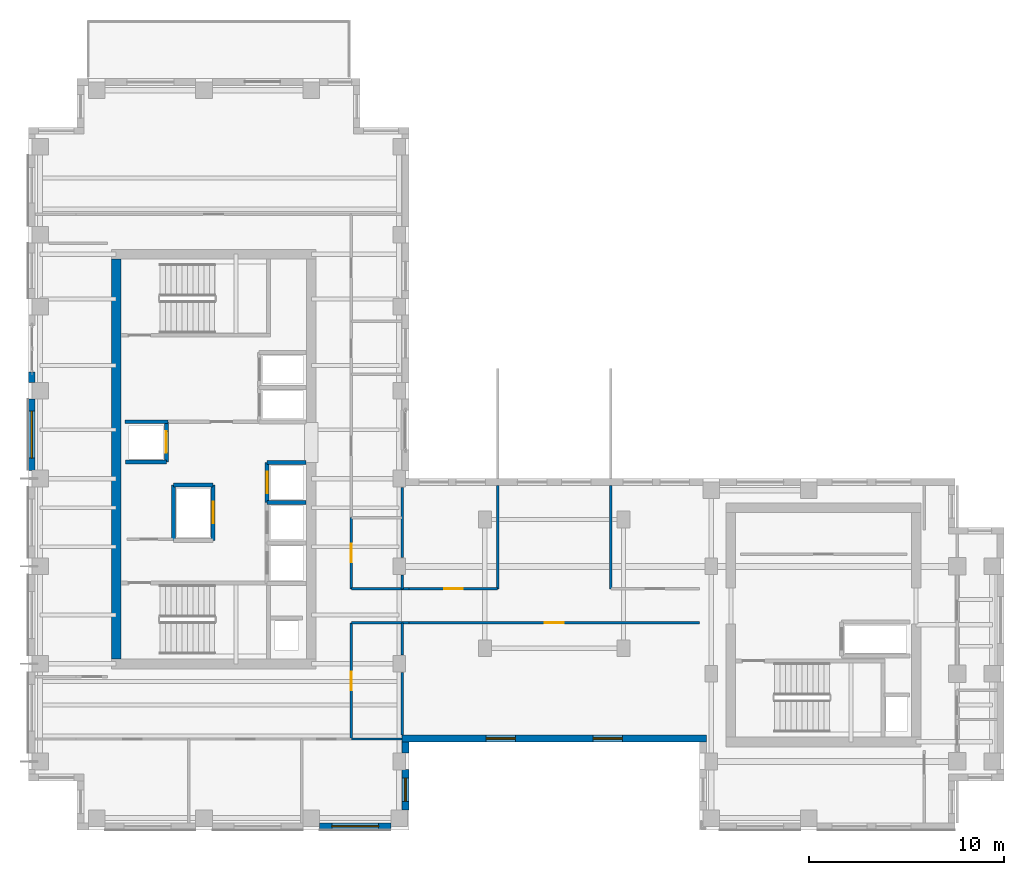
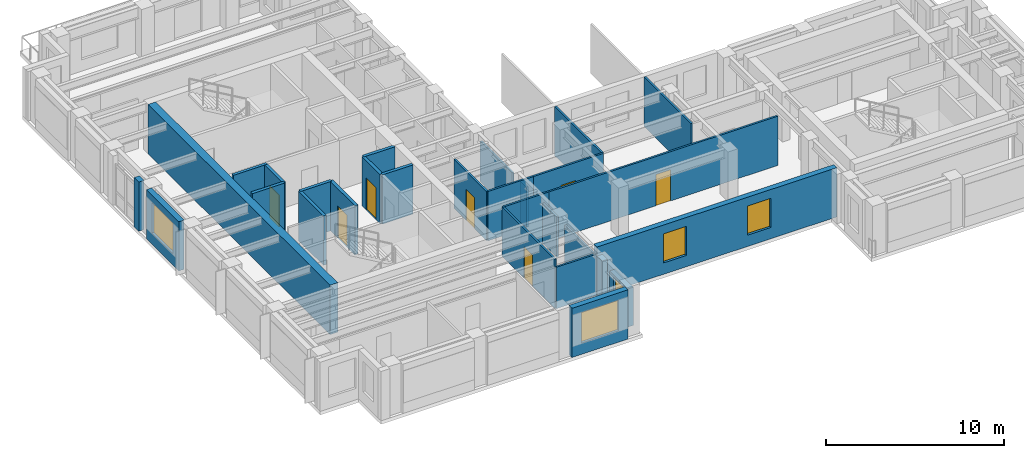
# One storey, part 7 of 14: 29 walls, 7 doors, 5 windows, 12 openings.
"""IFC4 building model written with IfcOpenShell, lengths in metres."""

from ifc_helpers import new_model, si_unit, direction, frame, frame_2d, origin, place, context, subcontext, project, spatial, rectangle, extrude, source, transform, mapped, material, layer, layer_set, type_object, element, fill, save


model = new_model("IFC4")

# Units and contexts
model_context = context("Model", 3, precision=1e-05, world=origin(), true_north=direction((0.0, 1.0)))
body_context = subcontext(model_context, "Body", "Model", "MODEL_VIEW")
ifc_project = project(units=[si_unit("LENGTHUNIT", "METRE"), si_unit("AREAUNIT", "SQUARE_METRE"), si_unit("VOLUMEUNIT", "CUBIC_METRE"), si_unit("PLANEANGLEUNIT", "RADIAN"), si_unit("MASSUNIT", "GRAM", prefix="KILO")], contexts=[model_context])

# Site, building, storey
site_placement = place(None, origin())
site = spatial("IfcSite", under=ifc_project, at=site_placement, CompositionType="ELEMENT")
building_placement = place(site_placement, origin())
building = spatial("IfcBuilding", under=site, at=building_placement, Name="Kharzan Plaza Tower", CompositionType="ELEMENT")
storey_placement = place(building_placement, frame((0.0, 0.0, 212.39990234375)))
storey = spatial("IfcBuildingStorey", under=building, at=storey_placement, Name="L57", CompositionType="ELEMENT", Elevation=212.39990234375)

# Wall, opening, window
ifc_material_1 = material(Name="Concrete C40/50", Category="concrete")
ifc_layer_1 = layer(ifc_material_1, 0.35009765625)
ifc_layer_set_1 = layer_set([ifc_layer_1], Name="Concrete C40/50")
wall_type_1 = type_object("IfcWallType", Name="WL-EXT-MAS-Z4", PredefinedType="SOLIDWALL", material=ifc_layer_set_1)
wall_1_placement = place(storey_placement, frame((0.175048828125, 22.076904296875, 0.0), z_axis=(0.0, 0.0, 1.0), x_axis=(0.0, -1.0, 0.0)))
wall_1 = element("IfcWall", 1, at=wall_1_placement, inside=storey, type_object=wall_type_1, Name="L57 Masonry-Frame Exterior Wall 14", PredefinedType="SOLIDWALL", context=body_context, shape_type="SweptSolid", body=[
    extrude(rectangle(XDim=3.65380859375, YDim=0.35009765625, at=frame_2d((1.826904296875, 0.0))), origin(), (0.0, 0.0, 1.0), 3.385009765625),
])
opening_1_placement = place(wall_1_placement, frame((0.626953125, 0.0, 0.780029296875)))
opening_1 = element("IfcOpeningElement", 2, at=opening_1_placement, cuts=wall_1, Name="Opening W2", PredefinedType="OPENING", context=body_context, shape_type="SweptSolid", body=[
    extrude(rectangle(XDim=2.39990234375, YDim=2.10009765625, at=frame_2d((1.199951171875, 1.050048828125))), frame((0.0, 0.18505859375, 0.0), z_axis=(0.0, -1.0, 0.0), x_axis=(1.0, 0.0, 0.0)), (0.0, 0.0, 1.0), 0.3701171875),
])
ifc_material_2 = material(Name="Low-E Double Glazing", Category="glass")
window_type_1 = type_object("IfcWindowType", Name="WN-REC-2400x2100", PartitioningType="SINGLE_PANEL", PredefinedType="WINDOW", material=ifc_material_2)
shared_shape_1 = source(origin(), body_context, "Body", "SweptSolid", [
    extrude(rectangle(XDim=2.39990234375, YDim=2.10009765625, at=frame_2d((1.199951171875, 1.050048828125))), frame((0.0, 0.030029296875, 0.0), z_axis=(0.0, -1.0, 0.0), x_axis=(1.0, 0.0, 0.0)), (0.0, 0.0, 1.0), 0.06005859375),
])
window_1_placement = place(opening_1_placement, origin())
window_1 = element("IfcWindow", 3, at=window_1_placement, inside=storey, type_object=window_type_1, Name="L57 Wide Recessed Solar-Control Window 14-1", OverallHeight=2.10009765625, OverallWidth=2.39990234375, PartitioningType="SINGLE_PANEL", PredefinedType="WINDOW", context=body_context, shape_type="MappedRepresentation", body=[
    mapped(shared_shape_1, transform((0.0, 0.0, 0.0), x_axis=(1.0, 0.0, 0.0), y_axis=(0.0, 1.0, 0.0), z_axis=(0.0, 0.0, 1.0))),
])
fill(opening_1, window_1)

wall_2_placement = place(storey_placement, frame((14.923095703125, 0.175048828125, 0.0), z_axis=(0.0, 0.0, 1.0), x_axis=(1.0, 0.0, 0.0)))
wall_2 = element("IfcWall", 4, at=wall_2_placement, inside=storey, type_object=wall_type_1, Name="L57 Masonry-Frame Exterior Wall 24", PredefinedType="SOLIDWALL", context=body_context, shape_type="SweptSolid", body=[
    extrude(rectangle(XDim=3.65380859375, YDim=0.35009765625, at=frame_2d((1.826904296875, 0.0))), origin(), (0.0, 0.0, 1.0), 3.385009765625),
])
opening_2_placement = place(wall_2_placement, frame((0.626953125, 0.0, 0.780029296875)))
opening_2 = element("IfcOpeningElement", 5, at=opening_2_placement, cuts=wall_2, Name="Opening W2", PredefinedType="OPENING", context=body_context, shape_type="SweptSolid", body=[
    extrude(rectangle(XDim=2.39990234375, YDim=2.10009765625, at=frame_2d((1.199951171875, 1.050048828125))), frame((0.0, 0.18505859375, 0.0), z_axis=(0.0, -1.0, 0.0), x_axis=(1.0, 0.0, 0.0)), (0.0, 0.0, 1.0), 0.3701171875),
])
window_2_placement = place(opening_2_placement, origin())
window_2 = element("IfcWindow", 6, at=window_2_placement, inside=storey, type_object=window_type_1, Name="L57 Wide Recessed Solar-Control Window 24-1", OverallHeight=2.10009765625, OverallWidth=2.39990234375, PartitioningType="SINGLE_PANEL", PredefinedType="WINDOW", context=body_context, shape_type="MappedRepresentation", body=[
    mapped(shared_shape_1, transform((0.0, 0.0, 0.0), x_axis=(1.0, 0.0, 0.0), y_axis=(0.0, 1.0, 0.0), z_axis=(0.0, 0.0, 1.0))),
])
fill(opening_2, window_2)

wall_3_placement = place(storey_placement, frame((19.324951171875, 1.02294921875, 0.0), z_axis=(0.0, 0.0, 1.0), x_axis=(0.0, 1.0, 0.0)))
wall_3 = element("IfcWall", 7, at=wall_3_placement, inside=storey, type_object=wall_type_1, Name="L57 Masonry-Frame Exterior Wall 25", PredefinedType="SOLIDWALL", context=body_context, shape_type="SweptSolid", body=[
    extrude(rectangle(XDim=2.053955078125, YDim=0.35009765625, at=frame_2d((1.02685546875, 0.0))), origin(), (0.0, 0.0, 1.0), 2.619140625),
])
opening_3_placement = place(wall_3_placement, frame((0.427001953125, 0.0, 0.780029296875)))
opening_3 = element("IfcOpeningElement", 8, at=opening_3_placement, cuts=wall_3, Name="Opening W3", PredefinedType="OPENING", context=body_context, shape_type="SweptSolid", body=[
    extrude(rectangle(XDim=1.199951171875, YDim=1.658935546875, at=frame_2d((0.60009765625, 0.82958984375))), frame((0.0, 0.18505859375, 0.0), z_axis=(0.0, -1.0, 0.0), x_axis=(1.0, 0.0, 0.0)), (0.0, 0.0, 1.0), 0.3701171875),
])
window_type_2 = type_object("IfcWindowType", Name="WN-REC-1200x2100", PartitioningType="SINGLE_PANEL", PredefinedType="WINDOW", material=ifc_material_2)
shared_shape_2 = source(origin(), body_context, "Body", "SweptSolid", [
    extrude(rectangle(XDim=1.199951171875, YDim=1.658935546875, at=frame_2d((0.60009765625, 0.82958984375))), frame((0.0, 0.030029296875, 0.0), z_axis=(0.0, -1.0, 0.0), x_axis=(1.0, 0.0, 0.0)), (0.0, 0.0, 1.0), 0.06005859375),
])
window_3_placement = place(opening_3_placement, origin())
window_3 = element("IfcWindow", 9, at=window_3_placement, inside=storey, type_object=window_type_2, Name="L57 Recessed Solar-Control Window 25-1", OverallHeight=1.658935546875, OverallWidth=1.199951171875, PartitioningType="SINGLE_PANEL", PredefinedType="WINDOW", context=body_context, shape_type="MappedRepresentation", body=[
    mapped(shared_shape_2, transform((0.0, 0.0, 0.0), x_axis=(1.0, 0.0, 0.0), y_axis=(0.0, 1.0, 0.0), z_axis=(0.0, 0.0, 1.0))),
])
fill(opening_3, window_3)

# Wall, openings, windows
wall_4_placement = place(storey_placement, frame((19.14990234375, 4.675048828125, 0.0), z_axis=(0.0, 0.0, 1.0), x_axis=(1.0, 0.0, 0.0)))
wall_4 = element("IfcWall", 10, at=wall_4_placement, inside=storey, type_object=wall_type_1, Name="L57 Masonry-Frame Exterior Wall 27", PredefinedType="SOLIDWALL", context=body_context, shape_type="SweptSolid", body=[
    extrude(rectangle(XDim=15.60009765625, YDim=0.35009765625, at=frame_2d((7.800048828125, 0.0))), origin(), (0.0, 0.0, 1.0), 3.385009765625),
])
opening_4_placement = place(wall_4_placement, frame((4.306640625, 0.0, 0.780029296875)))
opening_4 = element("IfcOpeningElement", 11, at=opening_4_placement, cuts=wall_4, Name="Opening W5", PredefinedType="OPENING", context=body_context, shape_type="SweptSolid", body=[
    extrude(rectangle(XDim=1.5, YDim=2.0, at=frame_2d((0.75, 1.0))), frame((0.0, 0.18505859375, 0.0), z_axis=(0.0, -1.0, 0.0), x_axis=(1.0, 0.0, 0.0)), (0.0, 0.0, 1.0), 0.3701171875),
])
opening_5_placement = place(wall_4_placement, frame((9.793212890625, 0.0, 0.780029296875)))
opening_5 = element("IfcOpeningElement", 12, at=opening_5_placement, cuts=wall_4, Name="Opening W5", PredefinedType="OPENING", context=body_context, shape_type="SweptSolid", body=[
    extrude(rectangle(XDim=1.5, YDim=2.0, at=frame_2d((0.75, 1.0))), frame((0.0, 0.18505859375, 0.0), z_axis=(0.0, -1.0, 0.0), x_axis=(1.0, 0.0, 0.0)), (0.0, 0.0, 1.0), 0.3701171875),
])
window_type_3 = type_object("IfcWindowType", Name="WN-SLT-1500x2000", PartitioningType="SINGLE_PANEL", PredefinedType="WINDOW", material=ifc_material_2)
shared_shape_3 = source(origin(), body_context, "Body", "SweptSolid", [
    extrude(rectangle(XDim=1.5, YDim=2.0, at=frame_2d((0.75, 1.0))), frame((0.0, 0.030029296875, 0.0), z_axis=(0.0, -1.0, 0.0), x_axis=(1.0, 0.0, 0.0)), (0.0, 0.0, 1.0), 0.06005859375),
])
window_4_placement = place(opening_4_placement, origin())
window_4 = element("IfcWindow", 13, at=window_4_placement, inside=storey, type_object=window_type_3, Name="L57 Recessed Solar-Control Window 27-1", OverallHeight=2.0, OverallWidth=1.5, PartitioningType="SINGLE_PANEL", PredefinedType="WINDOW", context=body_context, shape_type="MappedRepresentation", body=[
    mapped(shared_shape_3, transform((0.0, 0.0, 0.0), x_axis=(1.0, 0.0, 0.0), y_axis=(0.0, 1.0, 0.0), z_axis=(0.0, 0.0, 1.0))),
])
fill(opening_4, window_4)
window_5_placement = place(opening_5_placement, origin())
window_5 = element("IfcWindow", 14, at=window_5_placement, inside=storey, type_object=window_type_3, Name="L57 Recessed Solar-Control Window 27-2", OverallHeight=2.0, OverallWidth=1.5, PartitioningType="SINGLE_PANEL", PredefinedType="WINDOW", context=body_context, shape_type="MappedRepresentation", body=[
    mapped(shared_shape_3, transform((0.0, 0.0, 0.0), x_axis=(1.0, 0.0, 0.0), y_axis=(0.0, 1.0, 0.0), z_axis=(0.0, 0.0, 1.0))),
])
fill(opening_5, window_5)

# Wall, opening, door
ifc_material_3 = material(Name="Fire-Rated Gypsum Board Partition", Category="gypsum")
ifc_layer_2 = layer(ifc_material_3, 0.125)
ifc_layer_set_2 = layer_set([ifc_layer_2], Name="Fire-Rated Gypsum Board Partition")
wall_type_2 = type_object("IfcWallType", Name="WL-INT-PART-125", PredefinedType="PARTITIONING", material=ifc_layer_set_2)
wall_5_placement = place(storey_placement, frame((16.550048828125, 12.35009765625, 0.0), z_axis=(0.0, 0.0, 1.0), x_axis=(0.0, 1.0, 0.0)))
wall_5 = element("IfcWall", 15, at=wall_5_placement, inside=storey, type_object=wall_type_2, Name="L57 Interior Partition SH-AEWN1", PredefinedType="PARTITIONING", context=body_context, shape_type="SweptSolid", body=[
    extrude(rectangle(XDim=3.64990234375, YDim=0.125, at=frame_2d((1.824951171875, 0.0))), origin(), (0.0, 0.0, 1.0), 3.385009765625),
])
opening_6_placement = place(wall_5_placement, frame((1.35009765625, 0.0, 0.0)))
opening_6 = element("IfcOpeningElement", 16, at=opening_6_placement, cuts=wall_5, Name="Opening OD1", PredefinedType="OPENING", context=body_context, shape_type="SweptSolid", body=[
    extrude(rectangle(XDim=0.949951171875, YDim=2.14990234375, at=frame_2d((0.47509765625, 1.074951171875))), frame((0.0, 0.072509765625, 0.0), z_axis=(0.0, -1.0, 0.0), x_axis=(1.0, 0.0, 0.0)), (0.0, 0.0, 1.0), 0.14501953125),
])
ifc_material_4 = material(Name="Acoustic Solid-Core Stained Oak", Category="timber")
door_type_1 = type_object("IfcDoorType", Name="DR-OFF-SINGLE", OperationType="NOTDEFINED", PredefinedType="DOOR", material=ifc_material_4)
shared_shape_4 = source(origin(), body_context, "Body", "SweptSolid", [
    extrude(rectangle(XDim=0.949951171875, YDim=2.14990234375, at=frame_2d((0.47509765625, 1.074951171875))), frame((0.0, 0.02490234375, 0.0), z_axis=(0.0, -1.0, 0.0), x_axis=(1.0, 0.0, 0.0)), (0.0, 0.0, 1.0), 0.050048828125),
])
door_1_placement = place(opening_6_placement, origin())
door_1 = element("IfcDoor", 17, at=door_1_placement, inside=storey, type_object=door_type_1, Name="L57 Slot Collaboration Door", OperationType="SINGLE_SWING_LEFT", OverallHeight=2.14990234375, OverallWidth=0.949951171875, PredefinedType="DOOR", context=body_context, shape_type="MappedRepresentation", body=[
    mapped(shared_shape_4, transform((0.0, 0.0, 0.0), x_axis=(1.0, 0.0, 0.0), y_axis=(0.0, 1.0, 0.0), z_axis=(0.0, 0.0, 1.0))),
])
fill(opening_6, door_1)

wall_6_placement = place(storey_placement, frame((16.550048828125, 4.64990234375, 0.0), z_axis=(0.0, 0.0, 1.0), x_axis=(0.0, 1.0, 0.0)))
wall_6 = element("IfcWall", 18, at=wall_6_placement, inside=storey, type_object=wall_type_2, Name="L57 Interior Partition SH-AEWS", PredefinedType="PARTITIONING", context=body_context, shape_type="SweptSolid", body=[
    extrude(rectangle(XDim=5.9501953125, YDim=0.125, at=frame_2d((2.97509765625, 0.0))), origin(), (0.0, 0.0, 1.0), 3.385009765625),
])
opening_7_placement = place(wall_6_placement, frame((2.5, 0.0, 0.0)))
opening_7 = element("IfcOpeningElement", 19, at=opening_7_placement, cuts=wall_6, Name="Opening OD1", PredefinedType="OPENING", context=body_context, shape_type="SweptSolid", body=[
    extrude(rectangle(XDim=0.949951171875, YDim=2.14990234375, at=frame_2d((0.47509765625, 1.074951171875))), frame((0.0, 0.072509765625, 0.0), z_axis=(0.0, -1.0, 0.0), x_axis=(1.0, 0.0, 0.0)), (0.0, 0.0, 1.0), 0.14501953125),
])
door_2_placement = place(opening_7_placement, origin())
door_2 = element("IfcDoor", 20, at=door_2_placement, inside=storey, type_object=door_type_1, Name="L57 Slot South Office Door", OperationType="SINGLE_SWING_RIGHT", OverallHeight=2.14990234375, OverallWidth=0.949951171875, PredefinedType="DOOR", context=body_context, shape_type="MappedRepresentation", body=[
    mapped(shared_shape_4, transform((0.0, 0.0, 0.0), x_axis=(1.0, 0.0, 0.0), y_axis=(0.0, 1.0, 0.0), z_axis=(0.0, 0.0, 1.0))),
])
fill(opening_7, door_2)

wall_7_placement = place(storey_placement, frame((19.5, 12.35009765625, 0.0), z_axis=(0.0, 0.0, 1.0), x_axis=(1.0, 0.0, 0.0)))
wall_7 = element("IfcWall", 21, at=wall_7_placement, inside=storey, type_object=wall_type_2, Name="L57 Interior Partition SH-SPNW1", PredefinedType="PARTITIONING", context=body_context, shape_type="SweptSolid", body=[
    extrude(rectangle(XDim=4.550048828125, YDim=0.125, at=frame_2d((2.27490234375, 0.0))), origin(), (0.0, 0.0, 1.0), 3.385009765625),
])
opening_8_placement = place(wall_7_placement, frame((1.800048828125, 0.0, 0.0)))
opening_8 = element("IfcOpeningElement", 22, at=opening_8_placement, cuts=wall_7, Name="Opening OD1", PredefinedType="OPENING", context=body_context, shape_type="SweptSolid", body=[
    extrude(rectangle(XDim=0.949951171875, YDim=2.14990234375, at=frame_2d((0.47509765625, 1.074951171875))), frame((0.0, 0.072509765625, 0.0), z_axis=(0.0, -1.0, 0.0), x_axis=(1.0, 0.0, 0.0)), (0.0, 0.0, 1.0), 0.14501953125),
])
door_3_placement = place(opening_8_placement, origin())
door_3 = element("IfcDoor", 23, at=door_3_placement, inside=storey, type_object=door_type_1, Name="L57 North-West Spine Door", OperationType="SINGLE_SWING_RIGHT", OverallHeight=2.14990234375, OverallWidth=0.949951171875, PredefinedType="DOOR", context=body_context, shape_type="MappedRepresentation", body=[
    mapped(shared_shape_4, transform((0.0, 0.0, 0.0), x_axis=(1.0, 0.0, 0.0), y_axis=(0.0, 1.0, 0.0), z_axis=(0.0, 0.0, 1.0))),
])
fill(opening_8, door_3)

wall_8_placement = place(storey_placement, frame((19.5, 10.60009765625, 0.0), z_axis=(0.0, 0.0, 1.0), x_axis=(1.0, 0.0, 0.0)))
wall_8 = element("IfcWall", 24, at=wall_8_placement, inside=storey, type_object=wall_type_2, Name="L57 Interior Partition SH-SPS1", PredefinedType="PARTITIONING", context=body_context, shape_type="SweptSolid", body=[
    extrude(rectangle(XDim=14.89990234375, YDim=0.125, at=frame_2d((7.449951171875, 0.0))), origin(), (0.0, 0.0, 1.0), 3.385009765625),
])
opening_9_placement = place(wall_8_placement, frame((6.97509765625, 0.0, 0.0)))
opening_9 = element("IfcOpeningElement", 25, at=opening_9_placement, cuts=wall_8, Name="Opening OD1", PredefinedType="OPENING", context=body_context, shape_type="SweptSolid", body=[
    extrude(rectangle(XDim=0.949951171875, YDim=2.14990234375, at=frame_2d((0.47509765625, 1.074951171875))), frame((0.0, 0.072509765625, 0.0), z_axis=(0.0, -1.0, 0.0), x_axis=(1.0, 0.0, 0.0)), (0.0, 0.0, 1.0), 0.14501953125),
])
door_4_placement = place(opening_9_placement, origin())
door_4 = element("IfcDoor", 26, at=door_4_placement, inside=storey, type_object=door_type_1, Name="L57 South Spine Studio Door", OperationType="SINGLE_SWING_LEFT", OverallHeight=2.14990234375, OverallWidth=0.949951171875, PredefinedType="DOOR", context=body_context, shape_type="MappedRepresentation", body=[
    mapped(shared_shape_4, transform((0.0, 0.0, 0.0), x_axis=(1.0, 0.0, 0.0), y_axis=(0.0, 1.0, 0.0), z_axis=(0.0, 0.0, 1.0))),
])
fill(opening_9, door_4)

ifc_layer_3 = layer(ifc_material_1, 0.199951171875)
ifc_layer_set_3 = layer_set([ifc_layer_3], Name="Concrete C40/50")
wall_type_3 = type_object("IfcWallType", Name="WL-INT-SHAFT-200", PredefinedType="PARTITIONING", material=ifc_layer_set_3)
wall_9_placement = place(storey_placement, frame((12.22998046875, 16.77001953125, 0.0), z_axis=(0.0, 0.0, 1.0), x_axis=(0.0, 1.0, 0.0)))
wall_9 = element("IfcWall", 27, at=wall_9_placement, inside=storey, type_object=wall_type_3, Name="L57 Interior Partition SHF-PL-H3-W", PredefinedType="PARTITIONING", context=body_context, shape_type="SweptSolid", body=[
    extrude(rectangle(XDim=2.050048828125, YDim=0.199951171875, at=frame_2d((1.02490234375, 0.0))), origin(), (0.0, 0.0, 1.0), 3.385009765625),
])
opening_10_placement = place(wall_9_placement, frame((0.47509765625, 0.0, 0.0)))
opening_10 = element("IfcOpeningElement", 28, at=opening_10_placement, cuts=wall_9, Name="Opening LD", PredefinedType="OPENING", context=body_context, shape_type="SweptSolid", body=[
    extrude(rectangle(XDim=1.10009765625, YDim=2.199951171875, at=frame_2d((0.550048828125, 1.10009765625))), frame((0.0, 0.10986328125, 0.0), z_axis=(0.0, -1.0, 0.0), x_axis=(1.0, 0.0, 0.0)), (0.0, 0.0, 1.0), 0.219970703125),
])
ifc_material_5 = material(Name="Brushed Stainless Steel", Category="steel")
door_type_2 = type_object("IfcDoorType", Name="DR-LIFT-SLIDE", OperationType="SLIDING_TO_LEFT", PredefinedType="DOOR", material=ifc_material_5)
shared_shape_5 = source(origin(), body_context, "Body", "SweptSolid", [
    extrude(rectangle(XDim=1.10009765625, YDim=2.199951171875, at=frame_2d((0.550048828125, 1.10009765625))), frame((0.0, 0.02490234375, 0.0), z_axis=(0.0, -1.0, 0.0), x_axis=(1.0, 0.0, 0.0)), (0.0, 0.0, 1.0), 0.050048828125),
])
door_5_placement = place(opening_10_placement, origin())
door_5 = element("IfcDoor", 29, at=door_5_placement, inside=storey, type_object=door_type_2, Name="L57 High-Rise Passenger Lift PL-H3 Sliding Landing Door", OperationType="SLIDING_TO_LEFT", OverallHeight=2.199951171875, OverallWidth=1.10009765625, PredefinedType="DOOR", context=body_context, shape_type="MappedRepresentation", body=[
    mapped(shared_shape_5, transform((0.0, 0.0, 0.0), x_axis=(1.0, 0.0, 0.0), y_axis=(0.0, 1.0, 0.0), z_axis=(0.0, 0.0, 1.0))),
])
fill(opening_10, door_5)

wall_10_placement = place(storey_placement, frame((7.070068359375, 18.840087890625, 0.0), z_axis=(0.0, 0.0, 1.0), x_axis=(0.0, 1.0, 0.0)))
wall_10 = element("IfcWall", 30, at=wall_10_placement, inside=storey, type_object=wall_type_3, Name="L57 Interior Partition SHF-PL-H4-E", PredefinedType="PARTITIONING", context=body_context, shape_type="SweptSolid", body=[
    extrude(rectangle(XDim=2.059814453125, YDim=0.199951171875, at=frame_2d((1.02978515625, 0.0))), origin(), (0.0, 0.0, 1.0), 3.385009765625),
])
opening_11_placement = place(wall_10_placement, frame((0.47998046875, 0.0, 0.0)))
opening_11 = element("IfcOpeningElement", 31, at=opening_11_placement, cuts=wall_10, Name="Opening LD", PredefinedType="OPENING", context=body_context, shape_type="SweptSolid", body=[
    extrude(rectangle(XDim=1.10009765625, YDim=2.199951171875, at=frame_2d((0.550048828125, 1.10009765625))), frame((0.0, 0.10986328125, 0.0), z_axis=(0.0, -1.0, 0.0), x_axis=(1.0, 0.0, 0.0)), (0.0, 0.0, 1.0), 0.219970703125),
])
door_6_placement = place(opening_11_placement, origin())
door_6 = element("IfcDoor", 32, at=door_6_placement, inside=storey, type_object=door_type_2, Name="L57 High-Rise Passenger Lift PL-H4 Sliding Landing Door", OperationType="SLIDING_TO_LEFT", OverallHeight=2.199951171875, OverallWidth=1.10009765625, PredefinedType="DOOR", context=body_context, shape_type="MappedRepresentation", body=[
    mapped(shared_shape_5, transform((0.0, 0.0, 0.0), x_axis=(1.0, 0.0, 0.0), y_axis=(0.0, 1.0, 0.0), z_axis=(0.0, 0.0, 1.0))),
])
fill(opening_11, door_6)

wall_11_placement = place(storey_placement, frame((9.469970703125, 14.830078125, 0.0), z_axis=(0.0, 0.0, 1.0), x_axis=(0.0, 1.0, 0.0)))
wall_11 = element("IfcWall", 33, at=wall_11_placement, inside=storey, type_object=wall_type_3, Name="L57 Interior Partition SHF-SVL-1-E", PredefinedType="PARTITIONING", context=body_context, shape_type="SweptSolid", body=[
    extrude(rectangle(XDim=2.83984375, YDim=0.199951171875, at=frame_2d((1.419921875, 0.0))), origin(), (0.0, 0.0, 1.0), 3.385009765625),
])
opening_12_placement = place(wall_11_placement, frame((0.8701171875, 0.0, 0.0)))
opening_12 = element("IfcOpeningElement", 34, at=opening_12_placement, cuts=wall_11, Name="Opening LD", PredefinedType="OPENING", context=body_context, shape_type="SweptSolid", body=[
    extrude(rectangle(XDim=1.10009765625, YDim=2.199951171875, at=frame_2d((0.550048828125, 1.10009765625))), frame((0.0, 0.10986328125, 0.0), z_axis=(0.0, -1.0, 0.0), x_axis=(1.0, 0.0, 0.0)), (0.0, 0.0, 1.0), 0.219970703125),
])
door_7_placement = place(opening_12_placement, origin())
door_7 = element("IfcDoor", 35, at=door_7_placement, inside=storey, type_object=door_type_2, Name="L57 Service Lift SVL-1 Sliding Landing Door", OperationType="SLIDING_TO_LEFT", OverallHeight=2.199951171875, OverallWidth=1.10009765625, PredefinedType="DOOR", context=body_context, shape_type="MappedRepresentation", body=[
    mapped(shared_shape_5, transform((0.0, 0.0, 0.0), x_axis=(1.0, 0.0, 0.0), y_axis=(0.0, 1.0, 0.0), z_axis=(0.0, 0.0, 1.0))),
])
fill(opening_12, door_7)

# Walls
ifc_layer_4 = layer(ifc_material_1, 0.179931640625)
ifc_layer_set_4 = layer_set([ifc_layer_4], Name="Concrete C40/50")
wall_type_4 = type_object("IfcWallType", Name="WL-INT-FIRE-180", PredefinedType="PARTITIONING", material=ifc_layer_set_4)
shared_shape_6 = source(origin(), body_context, "Body", "SweptSolid", [
    extrude(rectangle(XDim=2.199951171875, YDim=0.179931640625, at=frame_2d((1.10009765625, 0.0))), origin(), (0.0, 0.0, 1.0), 3.385009765625),
])
wall_12_placement = place(storey_placement, frame((4.949951171875, 20.919921875, 0.0), z_axis=(0.0, 0.0, 1.0), x_axis=(1.0, 0.0, 0.0)))
element("IfcWall", 36, at=wall_12_placement, inside=storey, type_object=wall_type_4, Name="L57 Interior Partition CA-FF-SW", PredefinedType="PARTITIONING", context=body_context, shape_type="MappedRepresentation", body=[
    mapped(shared_shape_6, transform((0.0, 0.0, 0.0), x_axis=(1.0, 0.0, 0.0), y_axis=(0.0, 1.0, 0.0), z_axis=(0.0, 0.0, 1.0))),
])
shared_shape_7 = source(origin(), body_context, "Body", "SweptSolid", [
    extrude(rectangle(XDim=2.090087890625, YDim=0.199951171875, at=frame_2d((1.044921875, 0.0))), origin(), (0.0, 0.0, 1.0), 3.385009765625),
])
wall_13_placement = place(storey_placement, frame((4.97998046875, 18.840087890625, 0.0), z_axis=(0.0, 0.0, 1.0), x_axis=(1.0, 0.0, 0.0)))
element("IfcWall", 37, at=wall_13_placement, inside=storey, type_object=wall_type_3, Name="L57 Interior Partition SHF-PL-H4-S", PredefinedType="PARTITIONING", context=body_context, shape_type="MappedRepresentation", body=[
    mapped(shared_shape_7, transform((0.0, 0.0, 0.0), x_axis=(1.0, 0.0, 0.0), y_axis=(0.0, 1.0, 0.0), z_axis=(0.0, 0.0, 1.0))),
])
shared_shape_8 = source(origin(), body_context, "Body", "SweptSolid", [
    extrude(rectangle(XDim=2.0400390625, YDim=0.199951171875, at=frame_2d((1.02001953125, 0.0))), origin(), (0.0, 0.0, 1.0), 3.385009765625),
])
wall_14_placement = place(storey_placement, frame((7.429931640625, 17.669921875, 0.0), z_axis=(0.0, 0.0, 1.0), x_axis=(1.0, 0.0, 0.0)))
element("IfcWall", 38, at=wall_14_placement, inside=storey, type_object=wall_type_3, Name="L57 Interior Partition SHF-SVL-1-N", PredefinedType="PARTITIONING", context=body_context, shape_type="MappedRepresentation", body=[
    mapped(shared_shape_8, transform((0.0, 0.0, 0.0), x_axis=(1.0, 0.0, 0.0), y_axis=(0.0, 1.0, 0.0), z_axis=(0.0, 0.0, 1.0))),
])
shared_shape_9 = source(origin(), body_context, "Body", "SweptSolid", [
    extrude(rectangle(XDim=2.83984375, YDim=0.199951171875, at=frame_2d((1.419921875, 0.0))), origin(), (0.0, 0.0, 1.0), 3.385009765625),
])
wall_15_placement = place(storey_placement, frame((7.429931640625, 14.830078125, 0.0), z_axis=(0.0, 0.0, 1.0), x_axis=(0.0, 1.0, 0.0)))
element("IfcWall", 39, at=wall_15_placement, inside=storey, type_object=wall_type_3, Name="L57 Interior Partition SHF-SVL-1-W", PredefinedType="PARTITIONING", context=body_context, shape_type="MappedRepresentation", body=[
    mapped(shared_shape_9, transform((0.0, 0.0, 0.0), x_axis=(1.0, 0.0, 0.0), y_axis=(0.0, 1.0, 0.0), z_axis=(0.0, 0.0, 1.0))),
])
shared_shape_10 = source(origin(), body_context, "Body", "SweptSolid", [
    extrude(rectangle(XDim=2.949951171875, YDim=0.125, at=frame_2d((1.47509765625, 0.0))), origin(), (0.0, 0.0, 1.0), 3.385009765625),
])
for number, where, z_axis, x_axis, name in (
    (40, (16.550048828125, 12.35009765625, 0.0), (0.0, 0.0, 1.0), (1.0, 0.0, 0.0), "L57 Interior Partition SH-SPNW0"),
    (41, (16.550048828125, 10.60009765625, 0.0), (0.0, 0.0, 1.0), (1.0, 0.0, 0.0), "L57 Interior Partition SH-SPS0"),
):
    element("IfcWall", number, at=place(storey_placement, frame(where, z_axis=z_axis, x_axis=x_axis)), inside=storey, type_object=wall_type_2, Name=name, PredefinedType="PARTITIONING", context=body_context, shape_type="MappedRepresentation", body=[
        mapped(shared_shape_10, transform((0.0, 0.0, 0.0), x_axis=(1.0, 0.0, 0.0), y_axis=(0.0, 1.0, 0.0), z_axis=(0.0, 0.0, 1.0))),
    ])
ifc_material_6 = material(Name="Concrete C50/60", Category="concrete")
ifc_layer_5 = layer(ifc_material_6, 0.5)
ifc_layer_set_5 = layer_set([ifc_layer_5], Name="Concrete C50/60")
wall_type_5 = type_object("IfcWallType", Name="WL-CORE-500", PredefinedType="SHEAR", material=ifc_layer_set_5)
shared_shape_11 = source(origin(), body_context, "Body", "SweptSolid", [
    extrude(rectangle(XDim=20.5, YDim=0.5, at=frame_2d((10.25, 0.0))), origin(), (0.0, 0.0, 1.0), 3.400146484375),
])
wall_16_placement = place(storey_placement, frame((4.5, 8.75, 0.0), z_axis=(0.0, 0.0, 1.0), x_axis=(0.0, 1.0, 0.0)))
element("IfcWall", 42, at=wall_16_placement, inside=storey, type_object=wall_type_5, Name="L57 CORE-A west RC shear wall", PredefinedType="SHEAR", context=body_context, shape_type="MappedRepresentation", body=[
    mapped(shared_shape_11, transform((0.0, 0.0, 0.0), x_axis=(1.0, 0.0, 0.0), y_axis=(0.0, 1.0, 0.0), z_axis=(0.0, 0.0, 1.0))),
])
shared_shape_12 = source(origin(), body_context, "Body", "SweptSolid", [
    extrude(rectangle(XDim=0.52685546875, YDim=0.35009765625, at=frame_2d((0.263427734375, 0.0))), origin(), (0.0, 0.0, 1.0), 3.385009765625),
])
wall_17_placement = place(storey_placement, frame((0.175048828125, 23.449951171875, 0.0), z_axis=(0.0, 0.0, 1.0), x_axis=(0.0, -1.0, 0.0)))
element("IfcWall", 43, at=wall_17_placement, inside=storey, type_object=wall_type_1, Name="L57 Masonry-Frame Exterior Wall 13", PredefinedType="SOLIDWALL", context=body_context, shape_type="MappedRepresentation", body=[
    mapped(shared_shape_12, transform((0.0, 0.0, 0.0), x_axis=(1.0, 0.0, 0.0), y_axis=(0.0, 1.0, 0.0), z_axis=(0.0, 0.0, 1.0))),
])
shared_shape_13 = source(origin(), body_context, "Body", "SweptSolid", [
    extrude(rectangle(XDim=0.578857421875, YDim=0.35009765625, at=frame_2d((0.28955078125, 0.0))), origin(), (0.0, 0.0, 1.0), 2.773193359375),
])
wall_18_placement = place(storey_placement, frame((19.324951171875, 3.923095703125, 0.0), z_axis=(0.0, 0.0, 1.0), x_axis=(0.0, 1.0, 0.0)))
element("IfcWall", 44, at=wall_18_placement, inside=storey, type_object=wall_type_1, Name="L57 Masonry-Frame Exterior Wall 26", PredefinedType="SOLIDWALL", context=body_context, shape_type="MappedRepresentation", body=[
    mapped(shared_shape_13, transform((0.0, 0.0, 0.0), x_axis=(1.0, 0.0, 0.0), y_axis=(0.0, 1.0, 0.0), z_axis=(0.0, 0.0, 1.0))),
])
shared_shape_14 = source(origin(), body_context, "Body", "SweptSolid", [
    extrude(rectangle(XDim=0.699951171875, YDim=0.125, at=frame_2d((0.35009765625, 0.0))), origin(), (0.0, 0.0, 1.0), 2.773193359375),
])
wall_19_placement = place(storey_placement, frame((19.14990234375, 12.35009765625, 0.0), z_axis=(0.0, 0.0, 1.0), x_axis=(0.0, 1.0, 0.0)))
element("IfcWall", 45, at=wall_19_placement, inside=storey, type_object=wall_type_2, Name="L57 Interior Partition SH-AEN-DIV-S1", PredefinedType="PARTITIONING", context=body_context, shape_type="MappedRepresentation", body=[
    mapped(shared_shape_14, transform((0.0, 0.0, 0.0), x_axis=(1.0, 0.0, 0.0), y_axis=(0.0, 1.0, 0.0), z_axis=(0.0, 0.0, 1.0))),
])
shared_shape_15 = source(origin(), body_context, "Body", "SweptSolid", [
    extrude(rectangle(XDim=3.60009765625, YDim=0.125, at=frame_2d((1.800048828125, 0.0))), origin(), (0.0, 0.0, 1.0), 2.773193359375),
])
wall_20_placement = place(storey_placement, frame((19.14990234375, 13.949951171875, 0.0), z_axis=(0.0, 0.0, 1.0), x_axis=(0.0, 1.0, 0.0)))
element("IfcWall", 46, at=wall_20_placement, inside=storey, type_object=wall_type_2, Name="L57 Interior Partition SH-AEN-DIV-S2", PredefinedType="PARTITIONING", context=body_context, shape_type="MappedRepresentation", body=[
    mapped(shared_shape_15, transform((0.0, 0.0, 0.0), x_axis=(1.0, 0.0, 0.0), y_axis=(0.0, 1.0, 0.0), z_axis=(0.0, 0.0, 1.0))),
])
shared_shape_16 = source(origin(), body_context, "Body", "SweptSolid", [
    extrude(rectangle(XDim=3.197998046875, YDim=0.125, at=frame_2d((1.59912109375, 0.0))), origin(), (0.0, 0.0, 1.0), 2.773193359375),
])
wall_21_placement = place(storey_placement, frame((19.14990234375, 4.85205078125, 0.0), z_axis=(0.0, 0.0, 1.0), x_axis=(0.0, 1.0, 0.0)))
element("IfcWall", 47, at=wall_21_placement, inside=storey, type_object=wall_type_2, Name="L57 Interior Partition SH-AESP-DIV-S1", PredefinedType="PARTITIONING", context=body_context, shape_type="MappedRepresentation", body=[
    mapped(shared_shape_16, transform((0.0, 0.0, 0.0), x_axis=(1.0, 0.0, 0.0), y_axis=(0.0, 1.0, 0.0), z_axis=(0.0, 0.0, 1.0))),
])
shared_shape_17 = source(origin(), body_context, "Body", "SweptSolid", [
    extrude(rectangle(XDim=1.650146484375, YDim=0.125, at=frame_2d((0.8251953125, 0.0))), origin(), (0.0, 0.0, 1.0), 2.773193359375),
])
wall_22_placement = place(storey_placement, frame((19.14990234375, 8.949951171875, 0.0), z_axis=(0.0, 0.0, 1.0), x_axis=(0.0, 1.0, 0.0)))
element("IfcWall", 48, at=wall_22_placement, inside=storey, type_object=wall_type_2, Name="L57 Interior Partition SH-AESP-DIV-S2", PredefinedType="PARTITIONING", context=body_context, shape_type="MappedRepresentation", body=[
    mapped(shared_shape_17, transform((0.0, 0.0, 0.0), x_axis=(1.0, 0.0, 0.0), y_axis=(0.0, 1.0, 0.0), z_axis=(0.0, 0.0, 1.0))),
])
shared_shape_18 = source(origin(), body_context, "Body", "SweptSolid", [
    extrude(rectangle(XDim=5.2978515625, YDim=0.125, at=frame_2d((2.64892578125, 0.0))), origin(), (0.0, 0.0, 1.0), 3.385009765625),
])
for number, where, z_axis, x_axis, name in (
    (49, (24.050048828125, 12.35009765625, 0.0), (0.0, 0.0, 1.0), (0.0, 1.0, 0.0), "L57 Interior Partition SH-SPML-S1"),
    (50, (29.85009765625, 12.35009765625, 0.0), (0.0, 0.0, 1.0), (0.0, 1.0, 0.0), "L57 Interior Partition SH-SPMR-S1"),
):
    element("IfcWall", number, at=place(storey_placement, frame(where, z_axis=z_axis, x_axis=x_axis)), inside=storey, type_object=wall_type_2, Name=name, PredefinedType="PARTITIONING", context=body_context, shape_type="MappedRepresentation", body=[
        mapped(shared_shape_18, transform((0.0, 0.0, 0.0), x_axis=(1.0, 0.0, 0.0), y_axis=(0.0, 1.0, 0.0), z_axis=(0.0, 0.0, 1.0))),
    ])
shared_shape_19 = source(origin(), body_context, "Body", "SweptSolid", [
    extrude(rectangle(XDim=2.599853515625, YDim=0.125, at=frame_2d((1.2998046875, 0.0))), origin(), (0.0, 0.0, 1.0), 2.84814453125),
])
wall_23_placement = place(storey_placement, frame((16.550048828125, 4.64990234375, 0.0), z_axis=(0.0, 0.0, 1.0), x_axis=(1.0, 0.0, 0.0)))
element("IfcWall", 51, at=wall_23_placement, inside=storey, type_object=wall_type_2, Name="L57 Interior Partition SH-SSE-3", PredefinedType="PARTITIONING", context=body_context, shape_type="MappedRepresentation", body=[
    mapped(shared_shape_19, transform((0.0, 0.0, 0.0), x_axis=(1.0, 0.0, 0.0), y_axis=(0.0, 1.0, 0.0), z_axis=(0.0, 0.0, 1.0))),
])
shared_shape_20 = source(origin(), body_context, "Body", "SweptSolid", [
    extrude(rectangle(XDim=1.989990234375, YDim=0.199951171875, at=frame_2d((0.9951171875, 0.0))), origin(), (0.0, 0.0, 1.0), 3.385009765625),
])
for number, where, z_axis, x_axis, name in (
    (52, (12.22998046875, 16.77001953125, 0.0), (0.0, 0.0, 1.0), (1.0, 0.0, 0.0), "L57 Interior Partition SHF-PL-H2-N"),
    (53, (12.22998046875, 18.820068359375, 0.0), (0.0, 0.0, 1.0), (1.0, 0.0, 0.0), "L57 Interior Partition SHF-PL-H3-N"),
):
    element("IfcWall", number, at=place(storey_placement, frame(where, z_axis=z_axis, x_axis=x_axis)), inside=storey, type_object=wall_type_3, Name=name, PredefinedType="PARTITIONING", context=body_context, shape_type="MappedRepresentation", body=[
        mapped(shared_shape_20, transform((0.0, 0.0, 0.0), x_axis=(1.0, 0.0, 0.0), y_axis=(0.0, 1.0, 0.0), z_axis=(0.0, 0.0, 1.0))),
    ])

save(model, "model.ifc")
